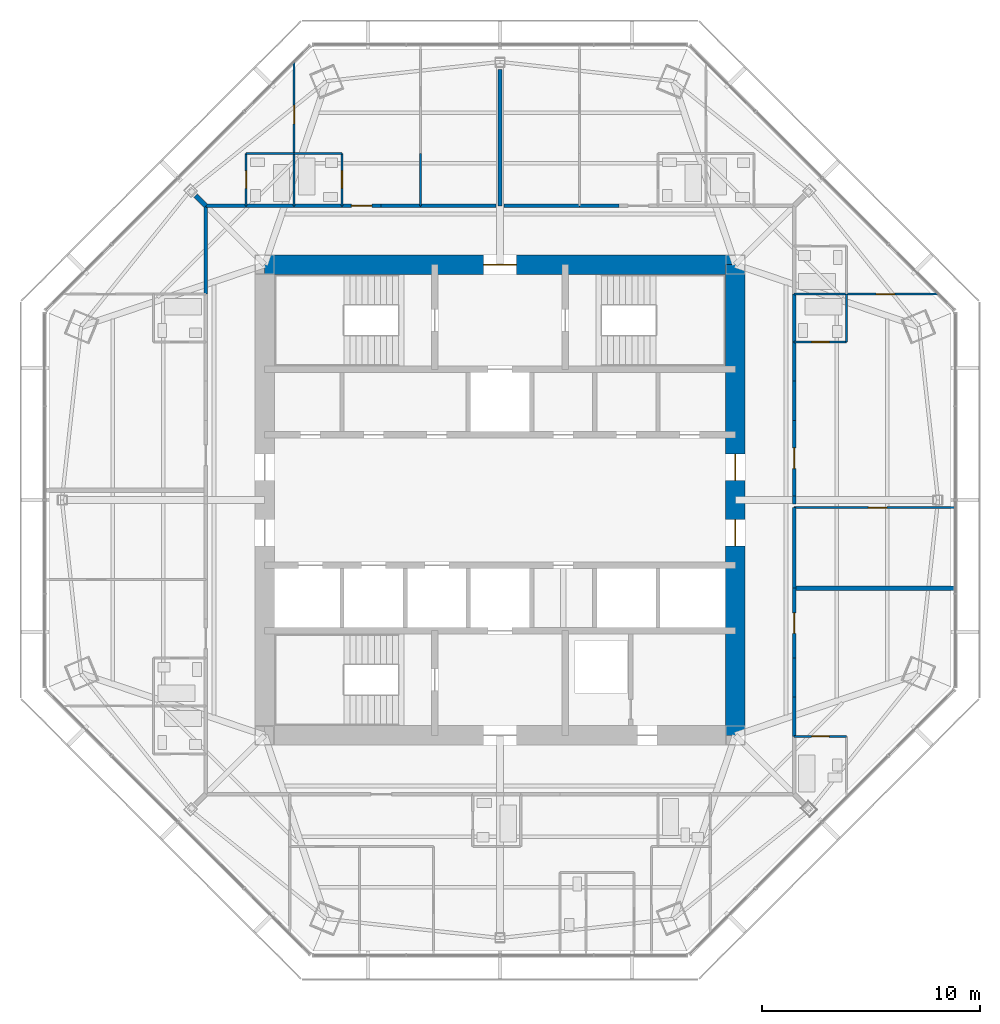
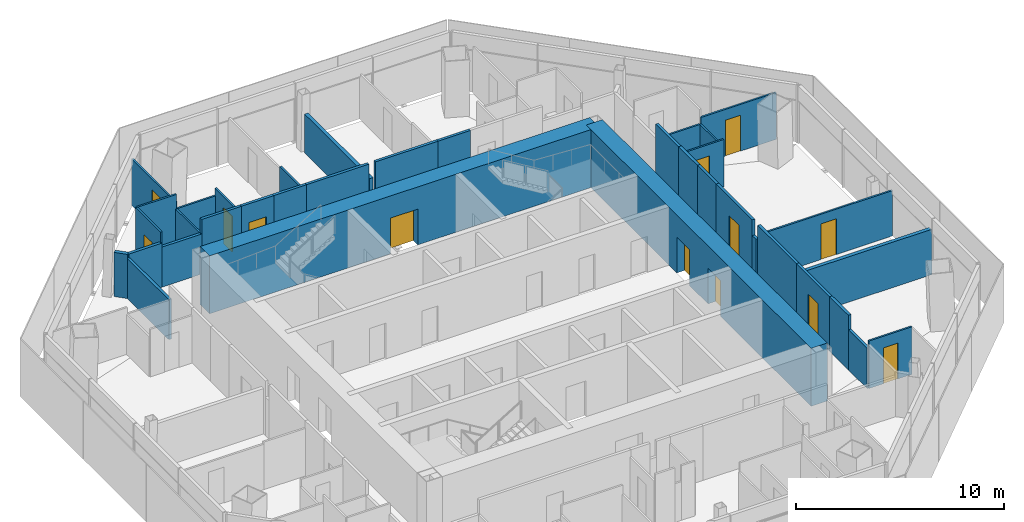
# One storey, part 11 of 14: 36 walls, 13 doors, 13 openings.
"""IFC4 building model written with IfcOpenShell, lengths in metres."""

from ifc_helpers import new_model, si_unit, direction, frame, frame_2d, origin, place, context, subcontext, project, spatial, rectangle, extrude, material, layer, layer_set, type_object, element, fill, save


model = new_model("IFC4")

# Units and contexts
model_context = context("Model", 3, precision=1e-05, world=origin(), true_north=direction((0.0, 1.0)))
body_context = subcontext(model_context, "Body", "Model", "MODEL_VIEW")
ifc_project = project(units=[si_unit("LENGTHUNIT", "METRE"), si_unit("AREAUNIT", "SQUARE_METRE"), si_unit("VOLUMEUNIT", "CUBIC_METRE"), si_unit("PLANEANGLEUNIT", "RADIAN"), si_unit("MASSUNIT", "GRAM", prefix="KILO")], contexts=[model_context])

# Site, building, storey
site_placement = place(None, origin())
site = spatial("IfcSite", under=ifc_project, at=site_placement, CompositionType="ELEMENT")
building_placement = place(site_placement, origin())
building = spatial("IfcBuilding", under=site, at=building_placement, Name="Mashrafa Tower", CompositionType="ELEMENT")
storey_placement = place(building_placement, frame((0.0, 0.0, 251.60009765625)))
storey = spatial("IfcBuildingStorey", under=building, at=storey_placement, Name="L60", CompositionType="ELEMENT", Elevation=251.60009765625)

# Walls
ifc_material_1 = material(Name="Gypsum board on steel studs", Category="steel")
ifc_layer_1 = layer(ifc_material_1, 0.199951171875)
ifc_layer_set_1 = layer_set([ifc_layer_1], Name="Acoustic partition 200 1 hr")
wall_type_1 = type_object("IfcWallType", Name="Acoustic partition 200 1 hr", PredefinedType="PARTITIONING", material=ifc_layer_set_1)
wall_1_placement = place(storey_placement, frame((20.87939453125, -4.050048828125, 0.0), z_axis=(0.0, 0.0, 1.0), x_axis=(-1.0, 0.0, 0.0)))
element("IfcWall", 1, at=wall_1_placement, inside=storey, type_object=wall_type_1, Name="Acoustic wall L60-050", PredefinedType="PARTITIONING", context=body_context, shape_type="SweptSolid", body=[
    extrude(rectangle(XDim=7.37939453125, YDim=0.199951171875, at=frame_2d((3.689697265625, 0.0))), origin(), (0.0, 0.0, 1.0), 2.66162109375),
])
wall_2_placement = place(storey_placement, frame((0.0, 19.757080078125, 0.0), z_axis=(0.0, 0.0, 1.0), x_axis=(0.0, -1.0, 0.0)))
element("IfcWall", 2, at=wall_2_placement, inside=storey, type_object=wall_type_1, Name="Acoustic wall L60-067", PredefinedType="PARTITIONING", context=body_context, shape_type="SweptSolid", body=[
    extrude(rectangle(XDim=6.257080078125, YDim=0.199951171875, at=frame_2d((3.12841796875, 0.0))), origin(), (0.0, 0.0, 1.0), 2.26806640625),
])
wall_3_placement = place(storey_placement, frame((-13.97021484375, 13.97021484375, 0.0), z_axis=(0.0, 0.0, 1.0), x_axis=(0.707106781187, -0.707106781187, 0.0)))
element("IfcWall", 3, at=wall_3_placement, inside=storey, type_object=wall_type_1, Name="Acoustic wall L60-072", PredefinedType="PARTITIONING", context=body_context, shape_type="SweptSolid", body=[
    extrude(rectangle(XDim=0.6650390625, YDim=0.199951171875, at=frame_2d((0.33251953125, 0.0))), origin(), (0.0, 0.0, 1.0), 2.587890625),
])

# Wall, openings, doors
ifc_material_2 = material(Name="Concrete C50/60", Category="concrete")
ifc_layer_2 = layer(ifc_material_2, 0.89990234375)
ifc_layer_set_2 = layer_set([ifc_layer_2], Name="Core wall 900 C50/60")
wall_type_2 = type_object("IfcWallType", Name="Core wall 900 C50/60", PredefinedType="SOLIDWALL", material=ifc_layer_set_2)
wall_4_placement = place(storey_placement, frame((10.800048828125, -10.800048828125, 0.0), z_axis=(0.0, 0.0, 1.0), x_axis=(0.0, 1.0, 0.0)))
wall_4 = element("IfcWall", 4, at=wall_4_placement, inside=storey, type_object=wall_type_2, Name="Core wall CW-E L60", PredefinedType="SOLIDWALL", context=body_context, shape_type="SweptSolid", body=[
    extrude(rectangle(XDim=21.60009765625, YDim=0.89990234375, at=frame_2d((10.800048828125, 0.0))), origin(), (0.0, 0.0, 1.0), 3.39990234375),
])
opening_1_placement = place(wall_4_placement, frame((11.699951171875, 0.0, 0.0)))
opening_1 = element("IfcOpeningElement", 5, at=opening_1_placement, cuts=wall_4, Name="Opening 60.036", PredefinedType="OPENING", context=body_context, shape_type="SweptSolid", body=[
    extrude(rectangle(XDim=1.199951171875, YDim=2.10009765625, at=frame_2d((0.60009765625, 1.050048828125))), frame((0.0, 0.4599609375, 0.0), z_axis=(0.0, -1.0, 0.0), x_axis=(1.0, 0.0, 0.0)), (0.0, 0.0, 1.0), 0.919921875),
])
opening_2_placement = place(wall_4_placement, frame((8.699951171875, 0.0, 0.0)))
opening_2 = element("IfcOpeningElement", 6, at=opening_2_placement, cuts=wall_4, Name="Opening 60.038", PredefinedType="OPENING", context=body_context, shape_type="SweptSolid", body=[
    extrude(rectangle(XDim=1.199951171875, YDim=2.10009765625, at=frame_2d((0.60009765625, 1.050048828125))), frame((0.0, 0.4599609375, 0.0), z_axis=(0.0, -1.0, 0.0), x_axis=(1.0, 0.0, 0.0)), (0.0, 0.0, 1.0), 0.919921875),
])
ifc_material_3 = material(Name="Steel door", Category="steel")
door_type_1 = type_object("IfcDoorType", Name="Lift hall door 1200 x 2100 90 min", OperationType="USERDEFINED", PredefinedType="DOOR", material=ifc_material_3)
door_1_placement = place(opening_1_placement, frame((1.199951171875, 0.0, 0.0), z_axis=(0.0, 0.0, 1.0), x_axis=(-1.0, 0.0, 0.0)))
door_1 = element("IfcDoor", 7, at=door_1_placement, inside=storey, type_object=door_type_1, Name="Lift hall door east L60", OperationType="SINGLE_SWING_LEFT", OverallHeight=2.10009765625, OverallWidth=1.199951171875, PredefinedType="DOOR", context=body_context, shape_type="SweptSolid", body=[
    extrude(rectangle(XDim=1.199951171875, YDim=2.10009765625, at=frame_2d((0.60009765625, 1.050048828125))), frame((0.0, 0.02490234375, 0.0), z_axis=(0.0, -1.0, 0.0), x_axis=(1.0, 0.0, 0.0)), (0.0, 0.0, 1.0), 0.050048828125),
])
fill(opening_1, door_1)
door_2_placement = place(opening_2_placement, frame((1.199951171875, 0.0, 0.0), z_axis=(0.0, 0.0, 1.0), x_axis=(-1.0, 0.0, 0.0)))
door_2 = element("IfcDoor", 8, at=door_2_placement, inside=storey, type_object=door_type_1, Name="Lift hall door east L60", OperationType="SINGLE_SWING_RIGHT", OverallHeight=2.10009765625, OverallWidth=1.199951171875, PredefinedType="DOOR", context=body_context, shape_type="SweptSolid", body=[
    extrude(rectangle(XDim=1.199951171875, YDim=2.10009765625, at=frame_2d((0.60009765625, 1.050048828125))), frame((0.0, 0.02490234375, 0.0), z_axis=(0.0, -1.0, 0.0), x_axis=(1.0, 0.0, 0.0)), (0.0, 0.0, 1.0), 0.050048828125),
])
fill(opening_2, door_2)

# Wall, opening, door
wall_5_placement = place(storey_placement, frame((10.800048828125, 10.800048828125, 0.0), z_axis=(0.0, 0.0, 1.0), x_axis=(-1.0, 0.0, 0.0)))
wall_5 = element("IfcWall", 9, at=wall_5_placement, inside=storey, type_object=wall_type_2, Name="Core wall CW-N L60", PredefinedType="SOLIDWALL", context=body_context, shape_type="SweptSolid", body=[
    extrude(rectangle(XDim=21.60009765625, YDim=0.89990234375, at=frame_2d((10.800048828125, 0.0))), origin(), (0.0, 0.0, 1.0), 3.39990234375),
])
opening_3_placement = place(wall_5_placement, frame((10.050048828125, 0.0, 0.0)))
opening_3 = element("IfcOpeningElement", 10, at=opening_3_placement, cuts=wall_5, Name="Opening 60.040", PredefinedType="OPENING", context=body_context, shape_type="SweptSolid", body=[
    extrude(rectangle(XDim=1.5, YDim=2.10009765625, at=frame_2d((0.75, 1.050048828125))), frame((0.0, 0.4599609375, 0.0), z_axis=(0.0, -1.0, 0.0), x_axis=(1.0, 0.0, 0.0)), (0.0, 0.0, 1.0), 0.919921875),
])
ifc_material_4 = material(Name="Steel door", Category="steel")
door_type_2 = type_object("IfcDoorType", Name="Lobby door pair 1500 x 2100 90 min", OperationType="DOUBLE_DOOR_SINGLE_SWING", PredefinedType="DOOR", material=ifc_material_4)
door_3_placement = place(opening_3_placement, origin())
door_3 = element("IfcDoor", 11, at=door_3_placement, inside=storey, type_object=door_type_2, Name="Fire-fighting lobby F1 door L60", OperationType="DOUBLE_DOOR_SINGLE_SWING", OverallHeight=2.10009765625, OverallWidth=1.5, PredefinedType="DOOR", context=body_context, shape_type="SweptSolid", body=[
    extrude(rectangle(XDim=1.5, YDim=2.10009765625, at=frame_2d((0.75, 1.050048828125))), frame((0.0, 0.02490234375, 0.0), z_axis=(0.0, -1.0, 0.0), x_axis=(1.0, 0.0, 0.0)), (0.0, 0.0, 1.0), 0.050048828125),
])
fill(opening_3, door_3)

# Walls
ifc_material_5 = material(Name="Gypsum board on steel studs", Category="steel")
ifc_layer_3 = layer(ifc_material_5, 0.14990234375)
ifc_layer_set_3 = layer_set([ifc_layer_3], Name="Corridor partition 150 1 hr")
wall_type_3 = type_object("IfcWallType", Name="Corridor partition 150 1 hr", PredefinedType="PARTITIONING", material=ifc_layer_set_3)
wall_6_placement = place(storey_placement, frame((13.5, -9.051025390625, 0.0), z_axis=(0.0, 0.0, 1.0), x_axis=(0.0, 1.0, 0.0)))
element("IfcWall", 12, at=wall_6_placement, inside=storey, type_object=wall_type_3, Name="Corridor wall L60-002", PredefinedType="PARTITIONING", context=body_context, shape_type="SweptSolid", body=[
    extrude(rectangle(XDim=1.802001953125, YDim=0.14990234375, at=frame_2d((0.90087890625, 0.0))), origin(), (0.0, 0.0, 1.0), 3.199951171875),
])
wall_7_placement = place(storey_placement, frame((13.5, -10.85107421875, 0.0), z_axis=(0.0, 0.0, 1.0), x_axis=(0.0, 1.0, 0.0)))
element("IfcWall", 13, at=wall_7_placement, inside=storey, type_object=wall_type_3, Name="Corridor wall L60-003", PredefinedType="PARTITIONING", context=body_context, shape_type="SweptSolid", body=[
    extrude(rectangle(XDim=1.802001953125, YDim=0.14990234375, at=frame_2d((0.90087890625, 0.0))), origin(), (0.0, 0.0, 1.0), 2.34912109375),
])

# Wall, opening, door
wall_8_placement = place(storey_placement, frame((13.5, -7.2509765625, 0.0), z_axis=(0.0, 0.0, 1.0), x_axis=(0.0, 1.0, 0.0)))
wall_8 = element("IfcWall", 14, at=wall_8_placement, inside=storey, type_object=wall_type_3, Name="Corridor wall L60-004", PredefinedType="PARTITIONING", context=body_context, shape_type="SweptSolid", body=[
    extrude(rectangle(XDim=3.201904296875, YDim=0.14990234375, at=frame_2d((1.60107421875, 0.0))), origin(), (0.0, 0.0, 1.0), 3.199951171875),
])
opening_4_placement = place(wall_8_placement, frame((1.1259765625, 0.0, 0.0)))
opening_4 = element("IfcOpeningElement", 15, at=opening_4_placement, cuts=wall_8, Name="Opening 60.002", PredefinedType="OPENING", context=body_context, shape_type="SweptSolid", body=[
    extrude(rectangle(XDim=0.949951171875, YDim=2.10009765625, at=frame_2d((0.47509765625, 1.050048828125))), frame((0.0, 0.0849609375, 0.0), z_axis=(0.0, -1.0, 0.0), x_axis=(1.0, 0.0, 0.0)), (0.0, 0.0, 1.0), 0.169921875),
])
ifc_material_6 = material(Name="Steel door", Category="steel")
door_type_3 = type_object("IfcDoorType", Name="Residence entrance door 950 x 2100 20 min", OperationType="USERDEFINED", PredefinedType="DOOR", material=ifc_material_6)
door_4_placement = place(opening_4_placement, frame((0.949951171875, 0.0, 0.0), z_axis=(0.0, 0.0, 1.0), x_axis=(-1.0, 0.0, 0.0)))
door_4 = element("IfcDoor", 16, at=door_4_placement, inside=storey, type_object=door_type_3, Name="Apartment 6001 Studio Living Room door", OperationType="SINGLE_SWING_LEFT", OverallHeight=2.10009765625, OverallWidth=0.949951171875, PredefinedType="DOOR", context=body_context, shape_type="SweptSolid", body=[
    extrude(rectangle(XDim=0.949951171875, YDim=2.10009765625, at=frame_2d((0.47509765625, 1.050048828125))), frame((0.0, 0.02490234375, 0.0), z_axis=(0.0, -1.0, 0.0), x_axis=(1.0, 0.0, 0.0)), (0.0, 0.0, 1.0), 0.050048828125),
])
fill(opening_4, door_4)

# Walls
wall_9_placement = place(storey_placement, frame((13.5, 7.2490234375, 0.0), z_axis=(0.0, 0.0, 1.0), x_axis=(0.0, 1.0, 0.0)))
element("IfcWall", 17, at=wall_9_placement, inside=storey, type_object=wall_type_3, Name="Corridor wall L60-007", PredefinedType="PARTITIONING", context=body_context, shape_type="SweptSolid", body=[
    extrude(rectangle(XDim=2.201904296875, YDim=0.14990234375, at=frame_2d((1.10107421875, 0.0))), origin(), (0.0, 0.0, 1.0), 3.199951171875),
])
wall_10_placement = place(storey_placement, frame((13.5, 3.64892578125, 0.0), z_axis=(0.0, 0.0, 1.0), x_axis=(0.0, 1.0, 0.0)))
element("IfcWall", 18, at=wall_10_placement, inside=storey, type_object=wall_type_3, Name="Corridor wall L60-008", PredefinedType="PARTITIONING", context=body_context, shape_type="SweptSolid", body=[
    extrude(rectangle(XDim=1.802001953125, YDim=0.14990234375, at=frame_2d((0.90087890625, 0.0))), origin(), (0.0, 0.0, 1.0), 3.199951171875),
])
wall_11_placement = place(storey_placement, frame((13.5, -4.051025390625, 0.0), z_axis=(0.0, 0.0, 1.0), x_axis=(0.0, 1.0, 0.0)))
element("IfcWall", 19, at=wall_11_placement, inside=storey, type_object=wall_type_3, Name="Corridor wall L60-009", PredefinedType="PARTITIONING", context=body_context, shape_type="SweptSolid", body=[
    extrude(rectangle(XDim=3.701904296875, YDim=0.14990234375, at=frame_2d((1.85107421875, 0.0))), origin(), (0.0, 0.0, 1.0), 3.199951171875),
])

# Wall, opening, door
wall_12_placement = place(storey_placement, frame((13.5, 0.182373046875, 0.0), z_axis=(0.0, 0.0, 1.0), x_axis=(0.0, 1.0, 0.0)))
wall_12 = element("IfcWall", 20, at=wall_12_placement, inside=storey, type_object=wall_type_3, Name="Corridor wall L60-010", PredefinedType="PARTITIONING", context=body_context, shape_type="SweptSolid", body=[
    extrude(rectangle(XDim=3.468505859375, YDim=0.14990234375, at=frame_2d((1.734375, 0.0))), origin(), (0.0, 0.0, 1.0), 3.199951171875),
])
opening_5_placement = place(wall_12_placement, frame((1.25927734375, 0.0, 0.0)))
opening_5 = element("IfcOpeningElement", 21, at=opening_5_placement, cuts=wall_12, Name="Opening 60.007", PredefinedType="OPENING", context=body_context, shape_type="SweptSolid", body=[
    extrude(rectangle(XDim=0.949951171875, YDim=2.10009765625, at=frame_2d((0.47509765625, 1.050048828125))), frame((0.0, 0.0849609375, 0.0), z_axis=(0.0, -1.0, 0.0), x_axis=(1.0, 0.0, 0.0)), (0.0, 0.0, 1.0), 0.169921875),
])
door_5_placement = place(opening_5_placement, frame((0.949951171875, 0.0, 0.0), z_axis=(0.0, 0.0, 1.0), x_axis=(-1.0, 0.0, 0.0)))
door_5 = element("IfcDoor", 22, at=door_5_placement, inside=storey, type_object=door_type_3, Name="Apartment 6002 Living Room door", OperationType="SINGLE_SWING_LEFT", OverallHeight=2.10009765625, OverallWidth=0.949951171875, PredefinedType="DOOR", context=body_context, shape_type="SweptSolid", body=[
    extrude(rectangle(XDim=0.949951171875, YDim=2.10009765625, at=frame_2d((0.47509765625, 1.050048828125))), frame((0.0, 0.02490234375, 0.0), z_axis=(0.0, -1.0, 0.0), x_axis=(1.0, 0.0, 0.0)), (0.0, 0.0, 1.0), 0.050048828125),
])
fill(opening_5, door_5)

# Walls
wall_13_placement = place(storey_placement, frame((13.5, -0.182373046875, 0.0), z_axis=(0.0, 0.0, 1.0), x_axis=(0.0, 1.0, 0.0)))
element("IfcWall", 23, at=wall_13_placement, inside=storey, type_object=wall_type_3, Name="Corridor wall L60-011", PredefinedType="PARTITIONING", context=body_context, shape_type="SweptSolid", body=[
    extrude(rectangle(XDim=0.36474609375, YDim=0.14990234375, at=frame_2d((0.182373046875, 0.0))), origin(), (0.0, 0.0, 1.0), 2.26806640625),
])
for number, where, z_axis, x_axis, name in (
    (24, (13.5, 5.448974609375, 0.0), (0.0, 0.0, 1.0), (0.0, 1.0, 0.0), "Corridor wall L60-012"),
    (25, (5.450927734375, 13.5, 0.0), (0.0, 0.0, 1.0), (-1.0, 0.0, 0.0), "Corridor wall L60-016"),
):
    element("IfcWall", number, at=place(storey_placement, frame(where, z_axis=z_axis, x_axis=x_axis)), inside=storey, type_object=wall_type_3, Name=name, PredefinedType="PARTITIONING", context=body_context, shape_type="SweptSolid", body=[
        extrude(rectangle(XDim=1.802001953125, YDim=0.14990234375, at=frame_2d((0.90087890625, 0.0))), origin(), (0.0, 0.0, 1.0), 3.199951171875),
    ])
wall_14_placement = place(storey_placement, frame((3.65087890625, 13.5, 0.0), z_axis=(0.0, 0.0, 1.0), x_axis=(-1.0, 0.0, 0.0)))
element("IfcWall", 26, at=wall_14_placement, inside=storey, type_object=wall_type_3, Name="Corridor wall L60-017", PredefinedType="PARTITIONING", context=body_context, shape_type="SweptSolid", body=[
    extrude(rectangle(XDim=3.468505859375, YDim=0.14990234375, at=frame_2d((1.734375, 0.0))), origin(), (0.0, 0.0, 1.0), 3.199951171875),
])
wall_15_placement = place(storey_placement, frame((-9.448974609375, 13.5, 0.0), z_axis=(0.0, 0.0, 1.0), x_axis=(-1.0, 0.0, 0.0)))
element("IfcWall", 27, at=wall_15_placement, inside=storey, type_object=wall_type_3, Name="Corridor wall L60-019", PredefinedType="PARTITIONING", context=body_context, shape_type="SweptSolid", body=[
    extrude(rectangle(XDim=2.201904296875, YDim=0.14990234375, at=frame_2d((1.10107421875, 0.0))), origin(), (0.0, 0.0, 1.0), 2.34912109375),
])
wall_16_placement = place(storey_placement, frame((-11.64892578125, 13.5, 0.0), z_axis=(0.0, 0.0, 1.0), x_axis=(-1.0, 0.0, 0.0)))
element("IfcWall", 28, at=wall_16_placement, inside=storey, type_object=wall_type_3, Name="Corridor wall L60-020", PredefinedType="PARTITIONING", context=body_context, shape_type="SweptSolid", body=[
    extrude(rectangle(XDim=1.85107421875, YDim=0.14990234375, at=frame_2d((0.925537109375, 0.0))), origin(), (0.0, 0.0, 1.0), 2.587890625),
])
wall_17_placement = place(storey_placement, frame((-7.2490234375, 13.5, 0.0), z_axis=(0.0, 0.0, 1.0), x_axis=(-1.0, 0.0, 0.0)))
element("IfcWall", 29, at=wall_17_placement, inside=storey, type_object=wall_type_3, Name="Corridor wall L60-021", PredefinedType="PARTITIONING", context=body_context, shape_type="SweptSolid", body=[
    extrude(rectangle(XDim=2.201904296875, YDim=0.14990234375, at=frame_2d((1.10107421875, 0.0))), origin(), (0.0, 0.0, 1.0), 3.199951171875),
])
wall_18_placement = place(storey_placement, frame((-3.64892578125, 13.5, 0.0), z_axis=(0.0, 0.0, 1.0), x_axis=(-1.0, 0.0, 0.0)))
element("IfcWall", 30, at=wall_18_placement, inside=storey, type_object=wall_type_3, Name="Corridor wall L60-022", PredefinedType="PARTITIONING", context=body_context, shape_type="SweptSolid", body=[
    extrude(rectangle(XDim=1.802001953125, YDim=0.14990234375, at=frame_2d((0.90087890625, 0.0))), origin(), (0.0, 0.0, 1.0), 3.199951171875),
])
wall_19_placement = place(storey_placement, frame((-0.182373046875, 13.5, 0.0), z_axis=(0.0, 0.0, 1.0), x_axis=(-1.0, 0.0, 0.0)))
element("IfcWall", 31, at=wall_19_placement, inside=storey, type_object=wall_type_3, Name="Corridor wall L60-023", PredefinedType="PARTITIONING", context=body_context, shape_type="SweptSolid", body=[
    extrude(rectangle(XDim=3.468505859375, YDim=0.14990234375, at=frame_2d((1.734375, 0.0))), origin(), (0.0, 0.0, 1.0), 3.199951171875),
])

# Wall, opening, door
wall_20_placement = place(storey_placement, frame((-5.448974609375, 13.5, 0.0), z_axis=(0.0, 0.0, 1.0), x_axis=(-1.0, 0.0, 0.0)))
wall_20 = element("IfcWall", 32, at=wall_20_placement, inside=storey, type_object=wall_type_3, Name="Corridor wall L60-024", PredefinedType="PARTITIONING", context=body_context, shape_type="SweptSolid", body=[
    extrude(rectangle(XDim=1.802001953125, YDim=0.14990234375, at=frame_2d((0.90087890625, 0.0))), origin(), (0.0, 0.0, 1.0), 3.199951171875),
])
opening_6_placement = place(wall_20_placement, frame((0.426025390625, 0.0, 0.0)))
opening_6 = element("IfcOpeningElement", 33, at=opening_6_placement, cuts=wall_20, Name="Opening 60.017", PredefinedType="OPENING", context=body_context, shape_type="SweptSolid", body=[
    extrude(rectangle(XDim=0.949951171875, YDim=2.10009765625, at=frame_2d((0.47509765625, 1.050048828125))), frame((0.0, 0.0849609375, 0.0), z_axis=(0.0, -1.0, 0.0), x_axis=(1.0, 0.0, 0.0)), (0.0, 0.0, 1.0), 0.169921875),
])
door_6_placement = place(opening_6_placement, frame((0.949951171875, 0.0, 0.0), z_axis=(0.0, 0.0, 1.0), x_axis=(-1.0, 0.0, 0.0)))
door_6 = element("IfcDoor", 34, at=door_6_placement, inside=storey, type_object=door_type_3, Name="Apartment 6004 Living Room door", OperationType="SINGLE_SWING_RIGHT", OverallHeight=2.10009765625, OverallWidth=0.949951171875, PredefinedType="DOOR", context=body_context, shape_type="SweptSolid", body=[
    extrude(rectangle(XDim=0.949951171875, YDim=2.10009765625, at=frame_2d((0.47509765625, 1.050048828125))), frame((0.0, 0.02490234375, 0.0), z_axis=(0.0, -1.0, 0.0), x_axis=(1.0, 0.0, 0.0)), (0.0, 0.0, 1.0), 0.050048828125),
])
fill(opening_6, door_6)

# Wall
wall_21_placement = place(storey_placement, frame((-13.5, 13.5, 0.0), z_axis=(0.0, 0.0, 1.0), x_axis=(0.0, -1.0, 0.0)))
element("IfcWall", 35, at=wall_21_placement, inside=storey, type_object=wall_type_3, Name="Corridor wall L60-025", PredefinedType="PARTITIONING", context=body_context, shape_type="SweptSolid", body=[
    extrude(rectangle(XDim=4.051025390625, YDim=0.14990234375, at=frame_2d((2.025390625, 0.0))), origin(), (0.0, 0.0, 1.0), 2.34912109375),
])

# Wall, opening, door
ifc_material_7 = material(Name="Gypsum board on steel studs", Category="steel")
ifc_layer_4 = layer(ifc_material_7, 0.10009765625)
ifc_layer_set_4 = layer_set([ifc_layer_4], Name="Partition 100")
wall_type_4 = type_object("IfcWallType", Name="Partition 100", PredefinedType="PARTITIONING", material=ifc_layer_set_4)
wall_22_placement = place(storey_placement, frame((15.89990234375, -10.85009765625, 0.0), z_axis=(0.0, 0.0, 1.0), x_axis=(-1.0, 0.0, 0.0)))
wall_22 = element("IfcWall", 36, at=wall_22_placement, inside=storey, type_object=wall_type_4, Name="Partition wall L60-048", PredefinedType="PARTITIONING", context=body_context, shape_type="SweptSolid", body=[
    extrude(rectangle(XDim=2.39990234375, YDim=0.10009765625, at=frame_2d((1.199951171875, 0.0))), origin(), (0.0, 0.0, 1.0), 2.785888671875),
])
opening_7_placement = place(wall_22_placement, frame((0.800048828125, 0.0, 0.0)))
opening_7 = element("IfcOpeningElement", 37, at=opening_7_placement, cuts=wall_22, Name="Opening 60.001", PredefinedType="OPENING", context=body_context, shape_type="SweptSolid", body=[
    extrude(rectangle(XDim=0.800048828125, YDim=2.10009765625, at=frame_2d((0.39990234375, 1.050048828125))), frame((0.0, 0.06005859375, 0.0), z_axis=(0.0, -1.0, 0.0), x_axis=(1.0, 0.0, 0.0)), (0.0, 0.0, 1.0), 0.1201171875),
])
ifc_material_8 = material(Name="Timber door", Category="wood")
door_type_4 = type_object("IfcDoorType", Name="Bathroom door 800 x 2100", OperationType="USERDEFINED", PredefinedType="DOOR", material=ifc_material_8)
door_7_placement = place(opening_7_placement, origin())
door_7 = element("IfcDoor", 38, at=door_7_placement, inside=storey, type_object=door_type_4, Name="Apartment 6001 Bathroom door", OperationType="SINGLE_SWING_LEFT", OverallHeight=2.10009765625, OverallWidth=0.800048828125, PredefinedType="DOOR", context=body_context, shape_type="SweptSolid", body=[
    extrude(rectangle(XDim=0.800048828125, YDim=2.10009765625, at=frame_2d((0.39990234375, 1.050048828125))), frame((0.0, 0.02490234375, 0.0), z_axis=(0.0, -1.0, 0.0), x_axis=(1.0, 0.0, 0.0)), (0.0, 0.0, 1.0), 0.050048828125),
])
fill(opening_7, door_7)

# Wall
wall_23_placement = place(storey_placement, frame((13.5, 9.449951171875, 0.0), z_axis=(0.0, 0.0, 1.0), x_axis=(1.0, 0.0, 0.0)))
element("IfcWall", 39, at=wall_23_placement, inside=storey, type_object=wall_type_4, Name="Partition wall L60-053", PredefinedType="PARTITIONING", context=body_context, shape_type="SweptSolid", body=[
    extrude(rectangle(XDim=2.39990234375, YDim=0.10009765625, at=frame_2d((1.199951171875, 0.0))), origin(), (0.0, 0.0, 1.0), 2.34912109375),
])

# Wall, opening, door
wall_24_placement = place(storey_placement, frame((15.89990234375, 9.449951171875, 0.0), z_axis=(0.0, 0.0, 1.0), x_axis=(1.0, 0.0, 0.0)))
wall_24 = element("IfcWall", 40, at=wall_24_placement, inside=storey, type_object=wall_type_4, Name="Partition wall L60-054", PredefinedType="PARTITIONING", context=body_context, shape_type="SweptSolid", body=[
    extrude(rectangle(XDim=4.181640625, YDim=0.10009765625, at=frame_2d((2.0908203125, 0.0))), origin(), (0.0, 0.0, 1.0), 2.740234375),
])
opening_8_placement = place(wall_24_placement, frame((1.3583984375, 0.0, 0.0)))
opening_8 = element("IfcOpeningElement", 41, at=opening_8_placement, cuts=wall_24, Name="Opening 60.004", PredefinedType="OPENING", context=body_context, shape_type="SweptSolid", body=[
    extrude(rectangle(XDim=0.85009765625, YDim=2.10009765625, at=frame_2d((0.425048828125, 1.050048828125))), frame((0.0, 0.06005859375, 0.0), z_axis=(0.0, -1.0, 0.0), x_axis=(1.0, 0.0, 0.0)), (0.0, 0.0, 1.0), 0.1201171875),
])
ifc_material_9 = material(Name="Timber door", Category="wood")
door_type_5 = type_object("IfcDoorType", Name="Bedroom door 850 x 2100", OperationType="USERDEFINED", PredefinedType="DOOR", material=ifc_material_9)
door_8_placement = place(opening_8_placement, origin())
door_8 = element("IfcDoor", 42, at=door_8_placement, inside=storey, type_object=door_type_5, Name="Apartment 6002 Bedroom 1 door", OperationType="SINGLE_SWING_RIGHT", OverallHeight=2.10009765625, OverallWidth=0.85009765625, PredefinedType="DOOR", context=body_context, shape_type="SweptSolid", body=[
    extrude(rectangle(XDim=0.85009765625, YDim=2.10009765625, at=frame_2d((0.425048828125, 1.050048828125))), frame((0.0, 0.02490234375, 0.0), z_axis=(0.0, -1.0, 0.0), x_axis=(1.0, 0.0, 0.0)), (0.0, 0.0, 1.0), 0.050048828125),
])
fill(opening_8, door_8)

wall_25_placement = place(storey_placement, frame((13.5, 7.25, 0.0), z_axis=(0.0, 0.0, 1.0), x_axis=(1.0, 0.0, 0.0)))
wall_25 = element("IfcWall", 43, at=wall_25_placement, inside=storey, type_object=wall_type_4, Name="Partition wall L60-056", PredefinedType="PARTITIONING", context=body_context, shape_type="SweptSolid", body=[
    extrude(rectangle(XDim=2.39990234375, YDim=0.10009765625, at=frame_2d((1.199951171875, 0.0))), origin(), (0.0, 0.0, 1.0), 2.783447265625),
])
opening_9_placement = place(wall_25_placement, frame((0.800048828125, 0.0, 0.0)))
opening_9 = element("IfcOpeningElement", 44, at=opening_9_placement, cuts=wall_25, Name="Opening 60.005", PredefinedType="OPENING", context=body_context, shape_type="SweptSolid", body=[
    extrude(rectangle(XDim=0.800048828125, YDim=2.10009765625, at=frame_2d((0.39990234375, 1.050048828125))), frame((0.0, 0.06005859375, 0.0), z_axis=(0.0, -1.0, 0.0), x_axis=(1.0, 0.0, 0.0)), (0.0, 0.0, 1.0), 0.1201171875),
])
door_9_placement = place(opening_9_placement, origin())
door_9 = element("IfcDoor", 45, at=door_9_placement, inside=storey, type_object=door_type_4, Name="Apartment 6002 Bathroom door", OperationType="SINGLE_SWING_RIGHT", OverallHeight=2.10009765625, OverallWidth=0.800048828125, PredefinedType="DOOR", context=body_context, shape_type="SweptSolid", body=[
    extrude(rectangle(XDim=0.800048828125, YDim=2.10009765625, at=frame_2d((0.39990234375, 1.050048828125))), frame((0.0, 0.02490234375, 0.0), z_axis=(0.0, -1.0, 0.0), x_axis=(1.0, 0.0, 0.0)), (0.0, 0.0, 1.0), 0.050048828125),
])
fill(opening_9, door_9)

# Wall
wall_26_placement = place(storey_placement, frame((15.89990234375, 7.25, 0.0), z_axis=(0.0, 0.0, 1.0), x_axis=(0.0, 1.0, 0.0)))
element("IfcWall", 46, at=wall_26_placement, inside=storey, type_object=wall_type_4, Name="Partition wall L60-057", PredefinedType="PARTITIONING", context=body_context, shape_type="SweptSolid", body=[
    extrude(rectangle(XDim=2.199951171875, YDim=0.10009765625, at=frame_2d((1.10009765625, 0.0))), origin(), (0.0, 0.0, 1.0), 2.34912109375),
])

# Wall, opening, door
wall_27_placement = place(storey_placement, frame((20.88134765625, -0.35009765625, 0.0), z_axis=(0.0, 0.0, 1.0), x_axis=(-1.0, 0.0, 0.0)))
wall_27 = element("IfcWall", 47, at=wall_27_placement, inside=storey, type_object=wall_type_4, Name="Partition wall L60-058", PredefinedType="PARTITIONING", context=body_context, shape_type="SweptSolid", body=[
    extrude(rectangle(XDim=7.38134765625, YDim=0.10009765625, at=frame_2d((3.690673828125, 0.0))), origin(), (0.0, 0.0, 1.0), 2.66162109375),
])
opening_10_placement = place(wall_27_placement, frame((3.127685546875, 0.0, 0.0)))
opening_10 = element("IfcOpeningElement", 48, at=opening_10_placement, cuts=wall_27, Name="Opening 60.006", PredefinedType="OPENING", context=body_context, shape_type="SweptSolid", body=[
    extrude(rectangle(XDim=0.85009765625, YDim=2.10009765625, at=frame_2d((0.425048828125, 1.050048828125))), frame((0.0, 0.06005859375, 0.0), z_axis=(0.0, -1.0, 0.0), x_axis=(1.0, 0.0, 0.0)), (0.0, 0.0, 1.0), 0.1201171875),
])
door_10_placement = place(opening_10_placement, origin())
door_10 = element("IfcDoor", 49, at=door_10_placement, inside=storey, type_object=door_type_5, Name="Apartment 6002 Bedroom 2 door", OperationType="SINGLE_SWING_LEFT", OverallHeight=2.10009765625, OverallWidth=0.85009765625, PredefinedType="DOOR", context=body_context, shape_type="SweptSolid", body=[
    extrude(rectangle(XDim=0.85009765625, YDim=2.10009765625, at=frame_2d((0.425048828125, 1.050048828125))), frame((0.0, 0.02490234375, 0.0), z_axis=(0.0, -1.0, 0.0), x_axis=(1.0, 0.0, 0.0)), (0.0, 0.0, 1.0), 0.050048828125),
])
fill(opening_10, door_10)

# Wall
wall_28_placement = place(storey_placement, frame((-9.449951171875, 15.89990234375, 0.0), z_axis=(0.0, 0.0, 1.0), x_axis=(-1.0, 0.0, 0.0)))
element("IfcWall", 50, at=wall_28_placement, inside=storey, type_object=wall_type_4, Name="Partition wall L60-068", PredefinedType="PARTITIONING", context=body_context, shape_type="SweptSolid", body=[
    extrude(rectangle(XDim=2.199951171875, YDim=0.10009765625, at=frame_2d((1.10009765625, 0.0))), origin(), (0.0, 0.0, 1.0), 3.199951171875),
])

# Wall, opening, door
wall_29_placement = place(storey_placement, frame((-11.64990234375, 15.89990234375, 0.0), z_axis=(0.0, 0.0, 1.0), x_axis=(0.0, -1.0, 0.0)))
wall_29 = element("IfcWall", 51, at=wall_29_placement, inside=storey, type_object=wall_type_4, Name="Partition wall L60-069", PredefinedType="PARTITIONING", context=body_context, shape_type="SweptSolid", body=[
    extrude(rectangle(XDim=2.39990234375, YDim=0.10009765625, at=frame_2d((1.199951171875, 0.0))), origin(), (0.0, 0.0, 1.0), 3.199951171875),
])
opening_11_placement = place(wall_29_placement, frame((0.800048828125, 0.0, 0.0)))
opening_11 = element("IfcOpeningElement", 52, at=opening_11_placement, cuts=wall_29, Name="Opening 60.013", PredefinedType="OPENING", context=body_context, shape_type="SweptSolid", body=[
    extrude(rectangle(XDim=0.800048828125, YDim=2.10009765625, at=frame_2d((0.39990234375, 1.050048828125))), frame((0.0, 0.06005859375, 0.0), z_axis=(0.0, -1.0, 0.0), x_axis=(1.0, 0.0, 0.0)), (0.0, 0.0, 1.0), 0.1201171875),
])
door_11_placement = place(opening_11_placement, origin())
door_11 = element("IfcDoor", 53, at=door_11_placement, inside=storey, type_object=door_type_4, Name="Apartment 6004 En-suite Bathroom door", OperationType="SINGLE_SWING_LEFT", OverallHeight=2.10009765625, OverallWidth=0.800048828125, PredefinedType="DOOR", context=body_context, shape_type="SweptSolid", body=[
    extrude(rectangle(XDim=0.800048828125, YDim=2.10009765625, at=frame_2d((0.39990234375, 1.050048828125))), frame((0.0, 0.02490234375, 0.0), z_axis=(0.0, -1.0, 0.0), x_axis=(1.0, 0.0, 0.0)), (0.0, 0.0, 1.0), 0.050048828125),
])
fill(opening_11, door_11)

# Wall
wall_30_placement = place(storey_placement, frame((-9.449951171875, 13.5, 0.0), z_axis=(0.0, 0.0, 1.0), x_axis=(0.0, 1.0, 0.0)))
element("IfcWall", 54, at=wall_30_placement, inside=storey, type_object=wall_type_4, Name="Partition wall L60-070", PredefinedType="PARTITIONING", context=body_context, shape_type="SweptSolid", body=[
    extrude(rectangle(XDim=2.39990234375, YDim=0.10009765625, at=frame_2d((1.199951171875, 0.0))), origin(), (0.0, 0.0, 1.0), 2.34912109375),
])

# Wall, opening, door
wall_31_placement = place(storey_placement, frame((-9.449951171875, 15.89990234375, 0.0), z_axis=(0.0, 0.0, 1.0), x_axis=(0.0, 1.0, 0.0)))
wall_31 = element("IfcWall", 55, at=wall_31_placement, inside=storey, type_object=wall_type_4, Name="Partition wall L60-071", PredefinedType="PARTITIONING", context=body_context, shape_type="SweptSolid", body=[
    extrude(rectangle(XDim=4.181640625, YDim=0.10009765625, at=frame_2d((2.0908203125, 0.0))), origin(), (0.0, 0.0, 1.0), 2.740234375),
])
opening_12_placement = place(wall_31_placement, frame((1.3583984375, 0.0, 0.0)))
opening_12 = element("IfcOpeningElement", 56, at=opening_12_placement, cuts=wall_31, Name="Opening 60.014", PredefinedType="OPENING", context=body_context, shape_type="SweptSolid", body=[
    extrude(rectangle(XDim=0.85009765625, YDim=2.10009765625, at=frame_2d((0.425048828125, 1.050048828125))), frame((0.0, 0.06005859375, 0.0), z_axis=(0.0, -1.0, 0.0), x_axis=(1.0, 0.0, 0.0)), (0.0, 0.0, 1.0), 0.1201171875),
])
door_12_placement = place(opening_12_placement, origin())
door_12 = element("IfcDoor", 57, at=door_12_placement, inside=storey, type_object=door_type_5, Name="Apartment 6004 Bedroom 1 door", OperationType="SINGLE_SWING_RIGHT", OverallHeight=2.10009765625, OverallWidth=0.85009765625, PredefinedType="DOOR", context=body_context, shape_type="SweptSolid", body=[
    extrude(rectangle(XDim=0.85009765625, YDim=2.10009765625, at=frame_2d((0.425048828125, 1.050048828125))), frame((0.0, 0.02490234375, 0.0), z_axis=(0.0, -1.0, 0.0), x_axis=(1.0, 0.0, 0.0)), (0.0, 0.0, 1.0), 0.050048828125),
])
fill(opening_12, door_12)

wall_32_placement = place(storey_placement, frame((-7.25, 13.5, 0.0), z_axis=(0.0, 0.0, 1.0), x_axis=(0.0, 1.0, 0.0)))
wall_32 = element("IfcWall", 58, at=wall_32_placement, inside=storey, type_object=wall_type_4, Name="Partition wall L60-073", PredefinedType="PARTITIONING", context=body_context, shape_type="SweptSolid", body=[
    extrude(rectangle(XDim=2.39990234375, YDim=0.10009765625, at=frame_2d((1.199951171875, 0.0))), origin(), (0.0, 0.0, 1.0), 2.783447265625),
])
opening_13_placement = place(wall_32_placement, frame((0.800048828125, 0.0, 0.0)))
opening_13 = element("IfcOpeningElement", 59, at=opening_13_placement, cuts=wall_32, Name="Opening 60.015", PredefinedType="OPENING", context=body_context, shape_type="SweptSolid", body=[
    extrude(rectangle(XDim=0.800048828125, YDim=2.10009765625, at=frame_2d((0.39990234375, 1.050048828125))), frame((0.0, 0.06005859375, 0.0), z_axis=(0.0, -1.0, 0.0), x_axis=(1.0, 0.0, 0.0)), (0.0, 0.0, 1.0), 0.1201171875),
])
door_13_placement = place(opening_13_placement, origin())
door_13 = element("IfcDoor", 60, at=door_13_placement, inside=storey, type_object=door_type_4, Name="Apartment 6004 Bathroom door", OperationType="SINGLE_SWING_RIGHT", OverallHeight=2.10009765625, OverallWidth=0.800048828125, PredefinedType="DOOR", context=body_context, shape_type="SweptSolid", body=[
    extrude(rectangle(XDim=0.800048828125, YDim=2.10009765625, at=frame_2d((0.39990234375, 1.050048828125))), frame((0.0, 0.02490234375, 0.0), z_axis=(0.0, -1.0, 0.0), x_axis=(1.0, 0.0, 0.0)), (0.0, 0.0, 1.0), 0.050048828125),
])
fill(opening_13, door_13)

# Walls
wall_33_placement = place(storey_placement, frame((-7.25, 15.89990234375, 0.0), z_axis=(0.0, 0.0, 1.0), x_axis=(-1.0, 0.0, 0.0)))
element("IfcWall", 61, at=wall_33_placement, inside=storey, type_object=wall_type_4, Name="Partition wall L60-074", PredefinedType="PARTITIONING", context=body_context, shape_type="SweptSolid", body=[
    extrude(rectangle(XDim=2.199951171875, YDim=0.10009765625, at=frame_2d((1.10009765625, 0.0))), origin(), (0.0, 0.0, 1.0), 2.34912109375),
])
wall_34_placement = place(storey_placement, frame((-3.64990234375, 13.5, 0.0), z_axis=(0.0, 0.0, 1.0), x_axis=(0.0, 1.0, 0.0)))
element("IfcWall", 62, at=wall_34_placement, inside=storey, type_object=wall_type_4, Name="Partition wall L60-075", PredefinedType="PARTITIONING", context=body_context, shape_type="SweptSolid", body=[
    extrude(rectangle(XDim=2.39990234375, YDim=0.10009765625, at=frame_2d((1.199951171875, 0.0))), origin(), (0.0, 0.0, 1.0), 2.783447265625),
])

save(model, "model.ifc")
